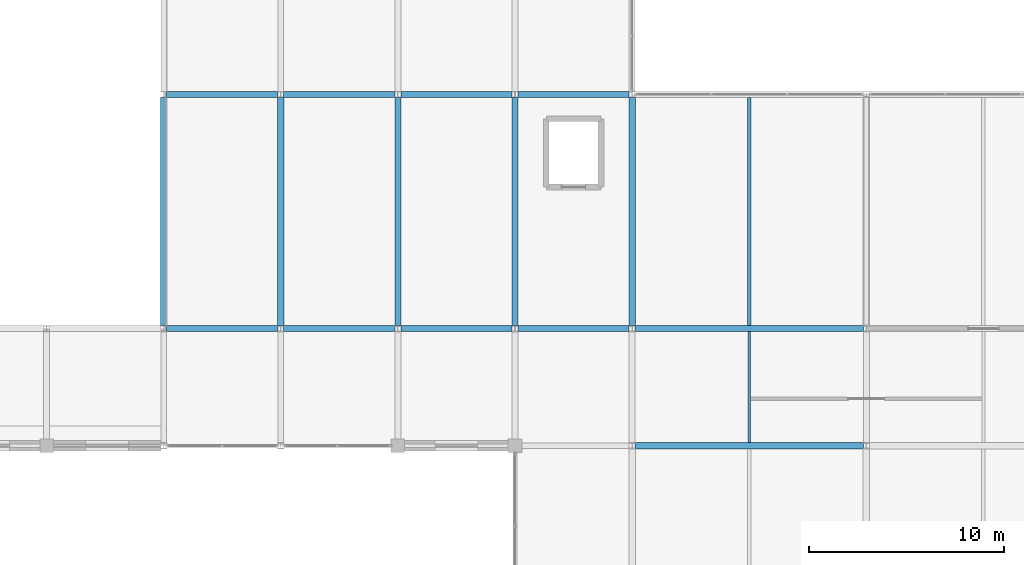
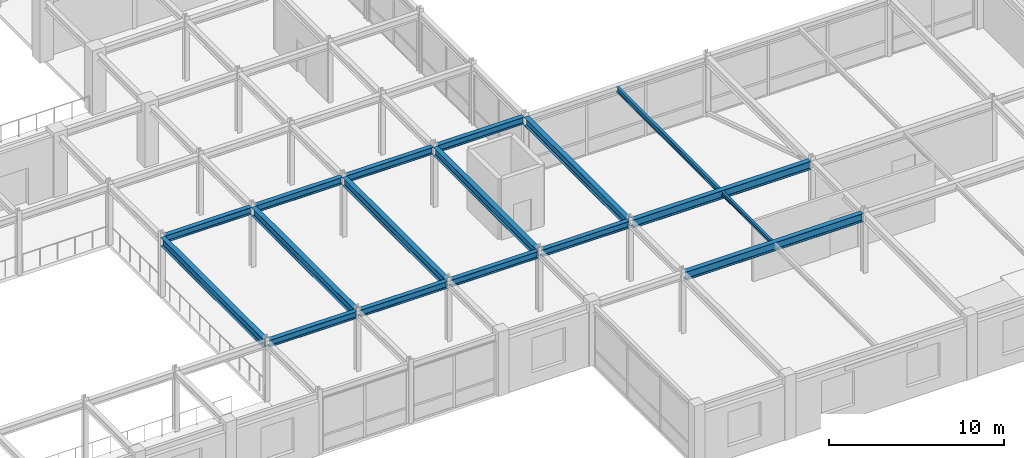
# One storey, part 59 of 108: 17 beams.
"""IFC4 building model written with IfcOpenShell, lengths in metres."""

from ifc_helpers import new_model, si_unit, direction, frame, origin, origin_2d, place, context, subcontext, project, spatial, i_section, extrude, material, material_profile, profile_set, type_object, element, save


model = new_model("IFC4")

# Units and contexts
model_context = context("Model", 3, precision=1e-05, world=origin(), true_north=direction((0.0, 1.0)))
body_context = subcontext(model_context, "Body", "Model", "MODEL_VIEW")
ifc_project = project(units=[si_unit("LENGTHUNIT", "METRE"), si_unit("AREAUNIT", "SQUARE_METRE"), si_unit("VOLUMEUNIT", "CUBIC_METRE"), si_unit("PLANEANGLEUNIT", "RADIAN"), si_unit("MASSUNIT", "GRAM", prefix="KILO")], contexts=[model_context])

# Site, building, storey
site_placement = place(None, origin())
site = spatial("IfcSite", under=ifc_project, at=site_placement, CompositionType="ELEMENT")
building_placement = place(site_placement, origin())
building = spatial("IfcBuilding", under=site, at=building_placement, Name="Zlatovratsky Civic Hall", CompositionType="ELEMENT")
storey_placement = place(building_placement, frame((0.0, 0.0, 12.0)))
storey = spatial("IfcBuildingStorey", under=building, at=storey_placement, Name="L03", CompositionType="ELEMENT", Elevation=12.0)

# Beams
ifc_material = material(Name="Steel S355", Category="steel")
ifc_material_profile_1 = material_profile(ifc_material, i_section(OverallWidth=0.300048828125, OverallDepth=0.48193359375, WebThickness=0.010986328125, FlangeThickness=0.014892578125, FilletRadius=0.02392578125, at=origin_2d()), Name="50Sh1")
ifc_profile_set_1 = profile_set([ifc_material_profile_1], Name="Steel S355")
beam_type_1 = type_object("IfcBeamType", Name="Beam_LibraryGirder_50Sh1", PredefinedType="BEAM", material=ifc_profile_set_1)
for number, where, z_axis, x_axis, name in (
    (1, (96.1494140625, 18.0, 3.97900390625), (1.0, 0.0, 0.0), (0.0, 1.0, 0.0), "BM-2516"),
    (2, (102.1494140625, 18.0, 3.97900390625), (1.0, 0.0, 0.0), (0.0, 1.0, 0.0), "BM-2517"),
    (3, (108.1494140625, 18.0, 3.97900390625), (1.0, 0.0, 0.0), (0.0, 1.0, 0.0), "BM-2518"),
    (4, (114.1494140625, 18.0, 3.97900390625), (1.0, 0.0, 0.0), (0.0, 1.0, 0.0), "BM-2519"),
    (5, (96.1494140625, 30.0, 3.97900390625), (1.0, 0.0, 0.0), (0.0, 1.0, 0.0), "BM-2534"),
    (6, (102.1494140625, 30.0, 3.97900390625), (1.0, 0.0, 0.0), (0.0, 1.0, 0.0), "BM-2535"),
    (7, (108.1494140625, 30.0, 3.97900390625), (1.0, 0.0, 0.0), (0.0, 1.0, 0.0), "BM-2536"),
    (8, (114.1494140625, 30.0, 3.97900390625), (1.0, 0.0, 0.0), (0.0, 1.0, 0.0), "BM-2537"),
):
    element("IfcBeam", number, at=place(storey_placement, frame(where, z_axis=z_axis, x_axis=x_axis)), inside=storey, type_object=beam_type_1, Name=name, PredefinedType="BEAM", context=body_context, shape_type="SweptSolid", body=[
        extrude(i_section(OverallWidth=0.300048828125, OverallDepth=0.48193359375, WebThickness=0.010986328125, FlangeThickness=0.014892578125, FilletRadius=0.02392578125, at=origin_2d()), origin(), (0.0, 0.0, 1.0), 5.701171875),
    ])
ifc_material_profile_2 = material_profile(ifc_material, i_section(OverallWidth=0.320068359375, OverallDepth=0.58203125, WebThickness=0.011962890625, FlangeThickness=0.01708984375, FilletRadius=0.02392578125, at=origin_2d()), Name="60Sh1")
ifc_profile_set_2 = profile_set([ifc_material_profile_2], Name="Steel S355")
beam_type_2 = type_object("IfcBeamType", Name="Beam_PodiumGirder_60Sh1", PredefinedType="BEAM", material=ifc_profile_set_2)
for number, where, z_axis, x_axis, name in (
    (9, (120.1494140625, 12.0, 3.928955078125), (1.0, 0.0, 0.0), (0.0, 1.0, 0.0), "BM-2498"),
    (10, (120.1494140625, 18.0, 3.928955078125), (1.0, 0.0, 0.0), (0.0, 1.0, 0.0), "BM-2520"),
):
    element("IfcBeam", number, at=place(storey_placement, frame(where, z_axis=z_axis, x_axis=x_axis)), inside=storey, type_object=beam_type_2, Name=name, PredefinedType="BEAM", context=body_context, shape_type="SweptSolid", body=[
        extrude(i_section(OverallWidth=0.320068359375, OverallDepth=0.58203125, WebThickness=0.011962890625, FlangeThickness=0.01708984375, FilletRadius=0.02392578125, at=origin_2d()), origin(), (0.0, 0.0, 1.0), 11.701171875),
    ])
for number, where, z_axis, x_axis, name in (
    (11, (96.0, 18.14794921875, 3.928955078125), (0.0, 1.0, 0.0), (-1.0, 0.0, 0.0), "BM-2971"),
    (12, (102.0, 18.14794921875, 3.928955078125), (0.0, 1.0, 0.0), (-1.0, 0.0, 0.0), "BM-2982"),
    (13, (108.0, 18.14794921875, 3.928955078125), (0.0, 1.0, 0.0), (-1.0, 0.0, 0.0), "BM-2998"),
    (14, (114.0, 18.14794921875, 3.928955078125), (0.0, 1.0, 0.0), (-1.0, 0.0, 0.0), "BM-3015"),
    (15, (120.0, 18.14794921875, 3.928955078125), (0.0, 1.0, 0.0), (-1.0, 0.0, 0.0), "BM-3032"),
):
    element("IfcBeam", number, at=place(storey_placement, frame(where, z_axis=z_axis, x_axis=x_axis)), inside=storey, type_object=beam_type_2, Name=name, PredefinedType="BEAM", context=body_context, shape_type="SweptSolid", body=[
        extrude(i_section(OverallWidth=0.320068359375, OverallDepth=0.58203125, WebThickness=0.011962890625, FlangeThickness=0.01708984375, FilletRadius=0.02392578125, at=origin_2d()), origin(), (0.0, 0.0, 1.0), 11.7041015625),
    ])
ifc_material_profile_3 = material_profile(ifc_material, i_section(OverallWidth=0.175048828125, OverallDepth=0.35009765625, WebThickness=0.007080078125, FlangeThickness=0.010986328125, FilletRadius=0.013916015625, at=origin_2d()), Name="35B2")
ifc_profile_set_3 = profile_set([ifc_material_profile_3], Name="Steel S355")
beam_type_3 = type_object("IfcBeamType", Name="Joist_Heavy_35B2", PredefinedType="JOIST", material=ifc_profile_set_3)
beam_1_placement = place(storey_placement, frame((126.0, 18.159912109375, 4.044921875), z_axis=(0.0, 1.0, 0.0), x_axis=(-1.0, 0.0, 0.0)))
element("IfcBeam", 16, at=beam_1_placement, inside=storey, type_object=beam_type_3, Name="BM-3135", PredefinedType="JOIST", context=body_context, shape_type="SweptSolid", body=[
    extrude(i_section(OverallWidth=0.175048828125, OverallDepth=0.35009765625, WebThickness=0.007080078125, FlangeThickness=0.010986328125, FilletRadius=0.013916015625, at=origin_2d()), origin(), (0.0, 0.0, 1.0), 11.68017578125),
])
ifc_material_profile_4 = material_profile(ifc_material, i_section(OverallWidth=0.14892578125, OverallDepth=0.2958984375, WebThickness=0.005615234375, FlangeThickness=0.008056640625, FilletRadius=0.012939453125, at=origin_2d()), Name="30B1")
ifc_profile_set_4 = profile_set([ifc_material_profile_4], Name="Steel S355")
beam_type_4 = type_object("IfcBeamType", Name="Joist_Tower_30B1", PredefinedType="JOIST", material=ifc_profile_set_4)
beam_2_placement = place(storey_placement, frame((126.0, 12.159912109375, 4.072021484375), z_axis=(0.0, 1.0, 0.0), x_axis=(-1.0, 0.0, 0.0)))
element("IfcBeam", 17, at=beam_2_placement, inside=storey, type_object=beam_type_4, Name="BM-3129", PredefinedType="JOIST", context=body_context, shape_type="SweptSolid", body=[
    extrude(i_section(OverallWidth=0.14892578125, OverallDepth=0.2958984375, WebThickness=0.005615234375, FlangeThickness=0.008056640625, FilletRadius=0.012939453125, at=origin_2d()), origin(), (0.0, 0.0, 1.0), 5.68017578125),
])

save(model, "model.ifc")
